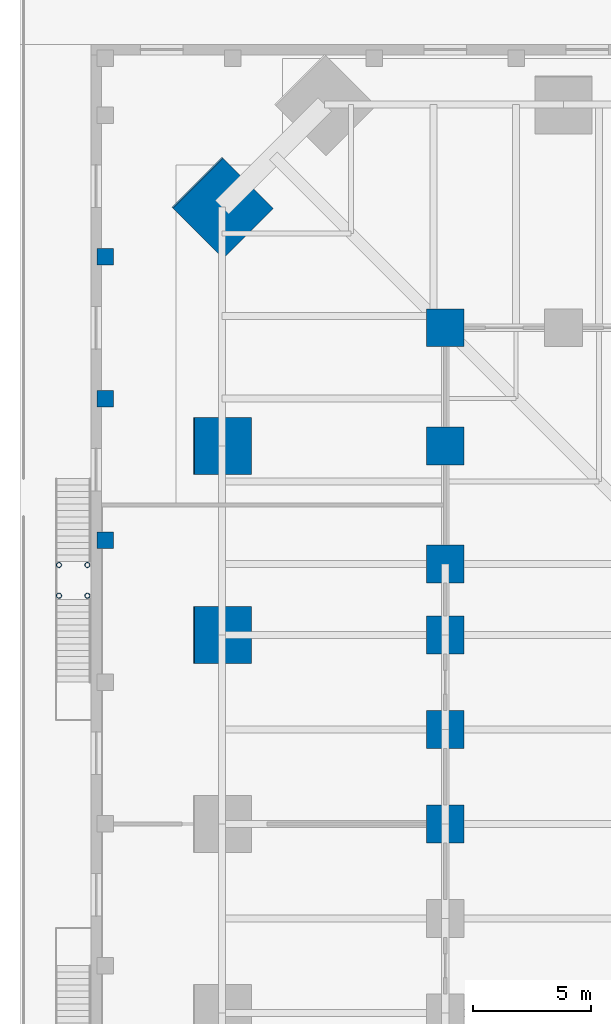
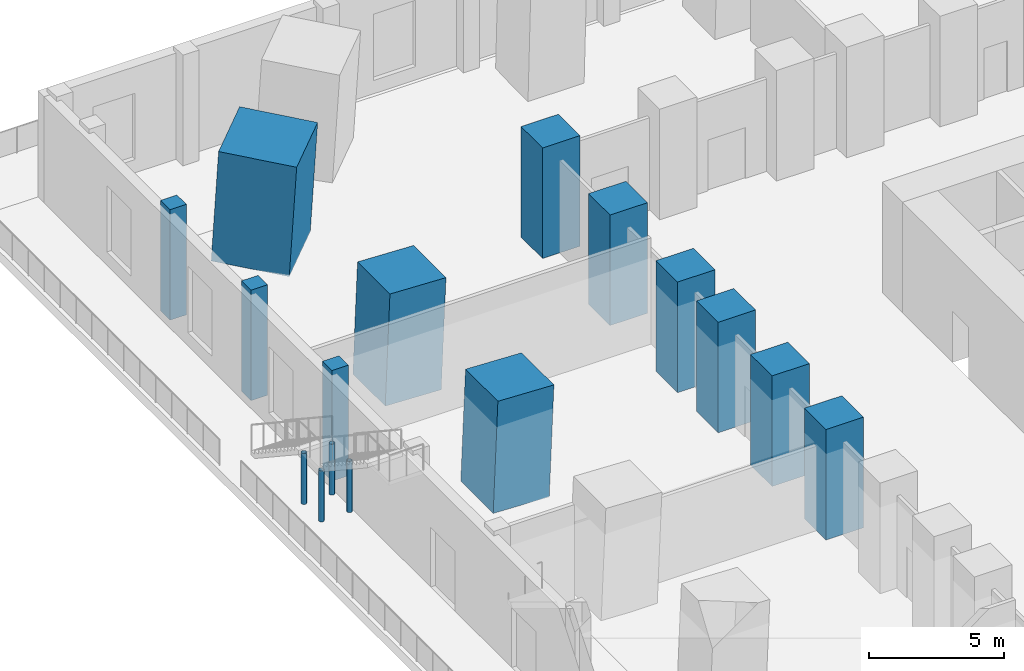
# One storey, part 4 of 20: 16 columns.
"""IFC4 building model written with IfcOpenShell, lengths in metres."""

from ifc_helpers import new_model, si_unit, direction, frame, origin, origin_2d, place, context, subcontext, project, spatial, rectangle, hollow_circle, extrude, material, material_profile, profile_set, type_object, element, save


model = new_model("IFC4")

# Units and contexts
model_context = context("Model", 3, precision=1e-05, world=origin(), true_north=direction((0.0, 1.0)))
body_context = subcontext(model_context, "Body", "Model", "MODEL_VIEW")
ifc_project = project(units=[si_unit("LENGTHUNIT", "METRE"), si_unit("AREAUNIT", "SQUARE_METRE"), si_unit("VOLUMEUNIT", "CUBIC_METRE"), si_unit("PLANEANGLEUNIT", "RADIAN"), si_unit("MASSUNIT", "GRAM", prefix="KILO")], contexts=[model_context])

# Site, building, storey
site_placement = place(None, origin())
site = spatial("IfcSite", under=ifc_project, at=site_placement, CompositionType="ELEMENT")
building_placement = place(site_placement, origin())
building = spatial("IfcBuilding", under=site, at=building_placement, Name="Peilmerk Tower", CompositionType="ELEMENT")
storey_placement = place(building_placement, frame((0.0, 0.0, 11.0)))
storey = spatial("IfcBuildingStorey", under=building, at=storey_placement, Name="L02", CompositionType="ELEMENT", Elevation=11.0)

# Columns
ifc_material_1 = material(Name="Concrete C90/105", Category="concrete")
ifc_material_profile_1 = material_profile(ifc_material_1, rectangle(XDim=3.0, YDim=3.0, at=origin_2d()), Name="RC 3000x3000")
ifc_profile_set_1 = profile_set([ifc_material_profile_1], Name="Concrete C90/105")
column_type_1 = type_object("IfcColumnType", Name="MC1 3000x3000 encased mega column", PredefinedType="COLUMN", material=ifc_profile_set_1)
column_placement = place(storey_placement, frame((-30.453125, 26.103271484375, 0.0), z_axis=(0.04021791389, -0.040266662877, 0.998379244207), x_axis=(0.707534941396, 0.706678361564, 0.0)))
element("IfcColumn", 1, at=column_placement, inside=storey, type_object=column_type_1, Name="Mega column MC1 NW_W L02", PredefinedType="COLUMN", context=body_context, shape_type="SweptSolid", body=[
    extrude(rectangle(XDim=3.0, YDim=3.0, at=origin_2d()), origin(), (0.0, 0.0, 1.0), 5.008056640625),
])
ifc_material_2 = material(Name="Concrete C55/67", Category="concrete")
ifc_material_profile_2 = material_profile(ifc_material_2, rectangle(XDim=0.699951171875, YDim=0.699951171875, at=origin_2d()), Name="RC 700x700")
ifc_profile_set_2 = profile_set([ifc_material_profile_2], Name="Concrete C55/67")
column_type_2 = type_object("IfcColumnType", Name="PC1 700x700 podium column", PredefinedType="COLUMN", material=ifc_profile_set_2)
for number, where, z_axis, x_axis, name in (
    (2, (-35.39990234375, 12.0, 0.0), (0.0, 0.0, 1.0), (1.0, 0.0, 0.0), "Podium column ring A L02"),
    (3, (-35.39990234375, 18.0, 0.0), (0.0, 0.0, 1.0), (1.0, 0.0, 0.0), "Podium column ring A L02"),
    (4, (-35.39990234375, 24.0, 0.0), (0.0, 0.0, 1.0), (1.0, 0.0, 0.0), "Podium column ring A L02"),
):
    element("IfcColumn", number, at=place(storey_placement, frame(where, z_axis=z_axis, x_axis=x_axis)), inside=storey, type_object=column_type_2, Name=name, PredefinedType="COLUMN", context=body_context, shape_type="SweptSolid", body=[
        extrude(rectangle(XDim=0.699951171875, YDim=0.699951171875, at=origin_2d()), origin(), (0.0, 0.0, 1.0), 5.0),
    ])
ifc_material_profile_3 = material_profile(ifc_material_1, rectangle(XDim=2.39990234375, YDim=2.39990234375, at=origin_2d()), Name="RC 2400x2400")
ifc_profile_set_3 = profile_set([ifc_material_profile_3], Name="Concrete C90/105")
column_type_3 = type_object("IfcColumnType", Name="SC1 2400x2400 encased perimeter column", PredefinedType="COLUMN", material=ifc_profile_set_3)
for number, where, z_axis, x_axis, name in (
    (5, (-30.453125, 8.0, 0.0), (0.040250558339, 0.0, 0.999189617917), (0.0, 1.0, 0.0), "Perimeter column W-8 L02"),
    (6, (-30.453125, 16.0, 0.0), (0.040250558339, 0.0, 0.999189617917), (0.0, 1.0, 0.0), "Perimeter column W-16 L02"),
):
    element("IfcColumn", number, at=place(storey_placement, frame(where, z_axis=z_axis, x_axis=x_axis)), inside=storey, type_object=column_type_3, Name=name, PredefinedType="COLUMN", context=body_context, shape_type="SweptSolid", body=[
        extrude(rectangle(XDim=2.39990234375, YDim=2.39990234375, at=origin_2d()), origin(), (0.0, 0.0, 1.0), 5.004150390625),
    ])
ifc_material_3 = material(Name="Steel S355", Category="steel")
ifc_material_profile_4 = material_profile(ifc_material_3, hollow_circle(Radius=0.109619140625, WallThickness=0.012451171875, at=origin_2d()), Name="CHS 219.1x12.5")
ifc_profile_set_4 = profile_set([ifc_material_profile_4], Name="Steel S355")
column_type_4 = type_object("IfcColumnType", Name="SC12 CHS 219.1x12.5 external stair post", PredefinedType="COLUMN", material=ifc_profile_set_4)
for number, where, z_axis, x_axis, name in (
    (7, (-37.35009765625, 9.659912109375, 0.0), (0.0, 0.0, 1.0), (1.0, 0.0, 0.0), "External stair 5 post L02"),
    (8, (-36.14990234375, 9.659912109375, 0.0), (0.0, 0.0, 1.0), (1.0, 0.0, 0.0), "External stair 5 post L02"),
    (9, (-37.35009765625, 10.9599609375, 0.0), (0.0, 0.0, 1.0), (1.0, 0.0, 0.0), "External stair 5 post L02"),
    (10, (-36.14990234375, 10.9599609375, 0.0), (0.0, 0.0, 1.0), (1.0, 0.0, 0.0), "External stair 5 post L02"),
):
    element("IfcColumn", number, at=place(storey_placement, frame(where, z_axis=z_axis, x_axis=x_axis)), inside=storey, type_object=column_type_4, Name=name, PredefinedType="COLUMN", context=body_context, shape_type="SweptSolid", body=[
        extrude(hollow_circle(Radius=0.109619140625, WallThickness=0.012451171875, at=origin_2d()), origin(), (0.0, 0.0, 1.0), 2.300048828125),
    ])
ifc_material_profile_5 = material_profile(ifc_material_1, rectangle(XDim=1.60009765625, YDim=1.60009765625, at=origin_2d()), Name="RC 1600x1600")
ifc_profile_set_5 = profile_set([ifc_material_profile_5], Name="Concrete C90/105")
column_type_5 = type_object("IfcColumnType", Name="SC2 1600x1600 encased interior column", PredefinedType="COLUMN", material=ifc_profile_set_5)
for number, where, z_axis, x_axis, name in (
    (11, (-21.0, 0.0, 0.0), (0.0, 0.0, 1.0), (1.0, 0.0, 0.0), "Interior column W+0 L02"),
    (12, (-21.0, 4.0, 0.0), (0.0, 0.0, 1.0), (1.0, 0.0, 0.0), "Interior column W-4 L02"),
    (13, (-21.0, 8.0, 0.0), (0.0, 0.0, 1.0), (1.0, 0.0, 0.0), "Interior column W-8 L02"),
    (14, (-21.0, 11.0, 0.0), (0.0, 0.0, 1.0), (1.0, 0.0, 0.0), "Interior column W-11 L02"),
    (15, (-21.0, 16.0, 0.0), (0.0, 0.0, 1.0), (1.0, 0.0, 0.0), "Interior column W-16 L02"),
    (16, (-21.0, 21.0, 0.0), (0.0, 0.0, 1.0), (1.0, 0.0, 0.0), "Interior column NW L02"),
):
    element("IfcColumn", number, at=place(storey_placement, frame(where, z_axis=z_axis, x_axis=x_axis)), inside=storey, type_object=column_type_5, Name=name, PredefinedType="COLUMN", context=body_context, shape_type="SweptSolid", body=[
        extrude(rectangle(XDim=1.60009765625, YDim=1.60009765625, at=origin_2d()), origin(), (0.0, 0.0, 1.0), 5.0),
    ])

save(model, "model.ifc")
